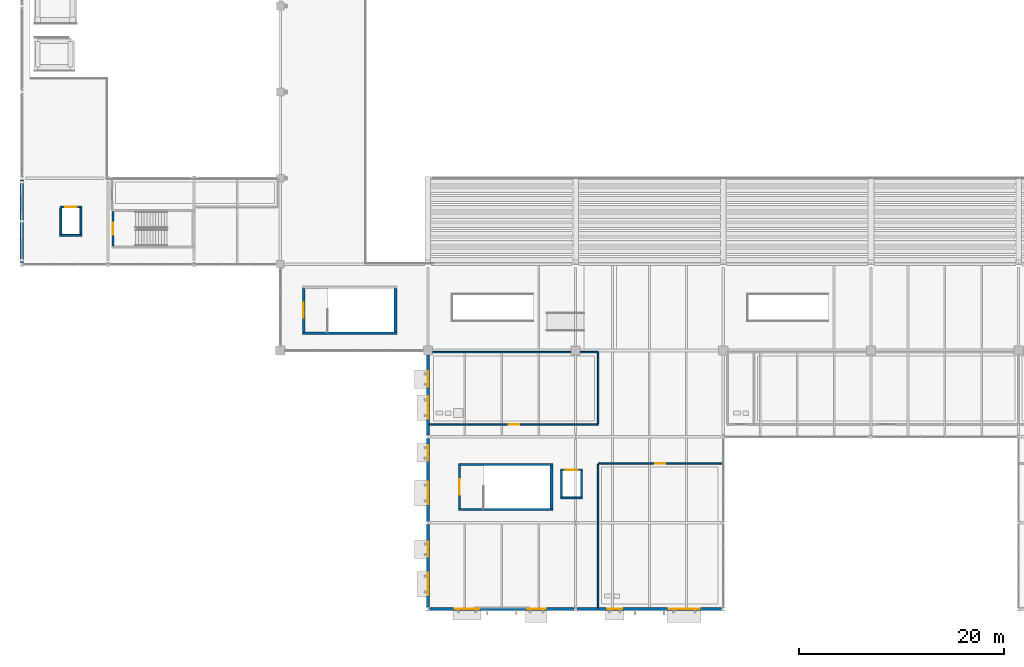
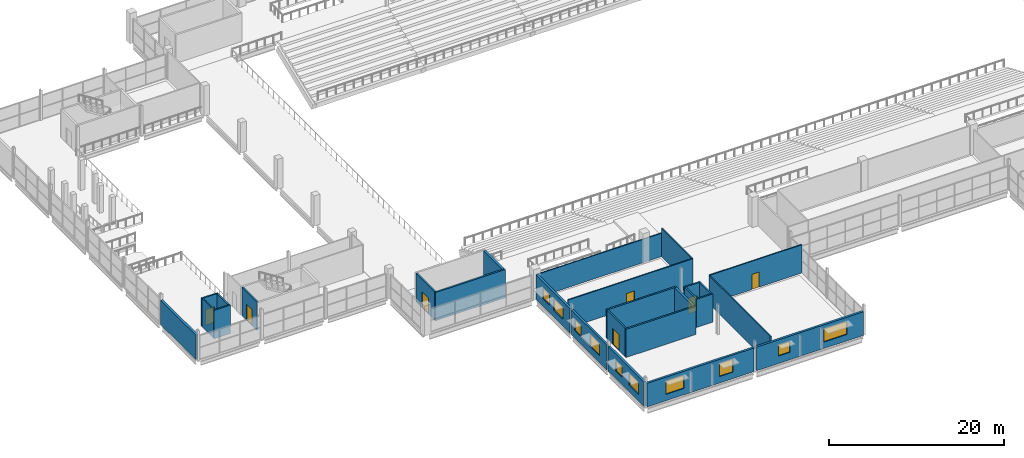
# One storey, part 134 of 161: 27 walls, 10 windows, 7 doors, 17 openings.
"""IFC4 building model written with IfcOpenShell, lengths in metres."""

from ifc_helpers import new_model, si_unit, direction, frame, frame_2d, origin, place, context, subcontext, project, spatial, rectangle, extrude, material, layer, layer_set, type_object, element, fill, save


model = new_model("IFC4")

# Units and contexts
model_context = context("Model", 3, precision=1e-05, world=origin(), true_north=direction((0.0, 1.0)))
body_context = subcontext(model_context, "Body", "Model", "MODEL_VIEW")
ifc_project = project(units=[si_unit("LENGTHUNIT", "METRE"), si_unit("AREAUNIT", "SQUARE_METRE"), si_unit("VOLUMEUNIT", "CUBIC_METRE"), si_unit("PLANEANGLEUNIT", "RADIAN"), si_unit("MASSUNIT", "GRAM", prefix="KILO"), si_unit("THERMODYNAMICTEMPERATUREUNIT", "KELVIN")], contexts=[model_context])

# Site, building, storey
site_placement = place(None, origin())
site = spatial("IfcSite", under=ifc_project, at=site_placement, CompositionType="ELEMENT")
building_placement = place(site_placement, origin())
building = spatial("IfcBuilding", under=site, at=building_placement, Name="Nduvali Passage Aquatics Centre", CompositionType="ELEMENT")
storey_placement = place(building_placement, frame((0.0, 0.0, 4.800048828125)))
storey = spatial("IfcBuildingStorey", under=building, at=storey_placement, Name="L01", CompositionType="ELEMENT", Elevation=4.800048828125)

# Wall, openings, windows
ifc_material_1 = material(Name="Coral-stone masonry blockwork", Category="masonry")
ifc_layer_1 = layer(ifc_material_1, 0.280029296875, Name="Coral-stone masonry blockwork")
ifc_layer_set_1 = layer_set([ifc_layer_1], Name="Coral-stone masonry blockwork")
wall_type_1 = type_object("IfcWallType", Name="ENV-WAL-CORAL280", PredefinedType="STANDARD", material=ifc_layer_set_1)
wall_1_placement = place(storey_placement, frame((39.75, 0.0, 0.0), z_axis=(0.0, 0.0, 1.0), x_axis=(1.0, 0.0, 0.0)))
wall_1 = element("IfcWall", 1, at=wall_1_placement, inside=storey, type_object=wall_type_1, Name="L01 South Coral Facade 0011", PredefinedType="STANDARD", context=body_context, shape_type="SweptSolid", body=[
    extrude(rectangle(XDim=14.10009765625, YDim=0.280029296875, at=frame_2d((7.050048828125, 0.0))), origin(), (0.0, 0.0, 1.0), 3.29248046875),
])
opening_1_placement = place(wall_1_placement, frame((2.466064453125, 0.0, 0.89990234375)))
opening_1 = element("IfcOpeningElement", 2, at=opening_1_placement, cuts=wall_1, Name="Opening W1", PredefinedType="OPENING", context=body_context, shape_type="SweptSolid", body=[
    extrude(rectangle(XDim=2.39990234375, YDim=1.800048828125, at=frame_2d((1.199951171875, 0.89990234375))), frame((0.0, 0.15478515625, 0.0), z_axis=(0.0, -1.0, 0.0), x_axis=(1.0, 0.0, 0.0)), (0.0, 0.0, 1.0), 0.309814453125),
])
opening_2_placement = place(wall_1_placement, frame((9.533935546875, 0.0, 0.89990234375)))
opening_2 = element("IfcOpeningElement", 3, at=opening_2_placement, cuts=wall_1, Name="Opening W2", PredefinedType="OPENING", context=body_context, shape_type="SweptSolid", body=[
    extrude(rectangle(XDim=1.800048828125, YDim=1.800048828125, at=frame_2d((0.89990234375, 0.89990234375))), frame((0.0, 0.15478515625, 0.0), z_axis=(0.0, -1.0, 0.0), x_axis=(1.0, 0.0, 0.0)), (0.0, 0.0, 1.0), 0.309814453125),
])
ifc_material_2 = material(Name="Aluminium-framed solar-control low-E IGU", Category="aluminium")
window_type_1 = type_object("IfcWindowType", Name="ENV-WIN-W1", PartitioningType="SINGLE_PANEL", PredefinedType="WINDOW", material=ifc_material_2)
window_1_placement = place(opening_1_placement, origin())
window_1 = element("IfcWindow", 4, at=window_1_placement, inside=storey, type_object=window_type_1, Name="L01 Exterior Window W1-0016", OverallHeight=1.800048828125, OverallWidth=2.39990234375, PartitioningType="SINGLE_PANEL", PredefinedType="WINDOW", context=body_context, shape_type="SweptSolid", body=[
    extrude(rectangle(XDim=2.39990234375, YDim=1.800048828125, at=frame_2d((1.199951171875, 0.89990234375))), frame((0.0, 0.030029296875, 0.0), z_axis=(0.0, -1.0, 0.0), x_axis=(1.0, 0.0, 0.0)), (0.0, 0.0, 1.0), 0.06005859375),
])
fill(opening_1, window_1)
window_type_2 = type_object("IfcWindowType", Name="ENV-WIN-W2", PartitioningType="SINGLE_PANEL", PredefinedType="WINDOW", material=ifc_material_2)
window_2_placement = place(opening_2_placement, origin())
window_2 = element("IfcWindow", 5, at=window_2_placement, inside=storey, type_object=window_type_2, Name="L01 Exterior Window W2-0017", OverallHeight=1.800048828125, OverallWidth=1.800048828125, PartitioningType="SINGLE_PANEL", PredefinedType="WINDOW", context=body_context, shape_type="SweptSolid", body=[
    extrude(rectangle(XDim=1.800048828125, YDim=1.800048828125, at=frame_2d((0.89990234375, 0.89990234375))), frame((0.0, 0.030029296875, 0.0), z_axis=(0.0, -1.0, 0.0), x_axis=(1.0, 0.0, 0.0)), (0.0, 0.0, 1.0), 0.06005859375),
])
fill(opening_2, window_2)

wall_2_placement = place(storey_placement, frame((54.14990234375, 0.0, 0.0), z_axis=(0.0, 0.0, 1.0), x_axis=(1.0, 0.0, 0.0)))
wall_2 = element("IfcWall", 6, at=wall_2_placement, inside=storey, type_object=wall_type_1, Name="L01 South Coral Facade 0012", PredefinedType="STANDARD", context=body_context, shape_type="SweptSolid", body=[
    extrude(rectangle(XDim=14.10009765625, YDim=0.280029296875, at=frame_2d((7.050048828125, 0.0))), origin(), (0.0, 0.0, 1.0), 3.29248046875),
])
opening_3_placement = place(wall_2_placement, frame((2.916015625, 0.0, 1.050048828125)))
opening_3 = element("IfcOpeningElement", 7, at=opening_3_placement, cuts=wall_2, Name="Opening W3", PredefinedType="OPENING", context=body_context, shape_type="SweptSolid", body=[
    extrude(rectangle(XDim=1.5, YDim=1.5, at=frame_2d((0.75, 0.75))), frame((0.0, 0.15478515625, 0.0), z_axis=(0.0, -1.0, 0.0), x_axis=(1.0, 0.0, 0.0)), (0.0, 0.0, 1.0), 0.309814453125),
])
opening_4_placement = place(wall_2_placement, frame((8.93408203125, 0.0, 0.89990234375)))
opening_4 = element("IfcOpeningElement", 8, at=opening_4_placement, cuts=wall_2, Name="Opening W4", PredefinedType="OPENING", context=body_context, shape_type="SweptSolid", body=[
    extrude(rectangle(XDim=3.0, YDim=1.800048828125, at=frame_2d((1.5, 0.89990234375))), frame((0.0, 0.15478515625, 0.0), z_axis=(0.0, -1.0, 0.0), x_axis=(1.0, 0.0, 0.0)), (0.0, 0.0, 1.0), 0.309814453125),
])
window_type_3 = type_object("IfcWindowType", Name="ENV-WIN-W3", PartitioningType="SINGLE_PANEL", PredefinedType="WINDOW", material=ifc_material_2)
window_3_placement = place(opening_3_placement, origin())
window_3 = element("IfcWindow", 9, at=window_3_placement, inside=storey, type_object=window_type_3, Name="L01 Exterior Window W3-0018", OverallHeight=1.5, OverallWidth=1.5, PartitioningType="SINGLE_PANEL", PredefinedType="WINDOW", context=body_context, shape_type="SweptSolid", body=[
    extrude(rectangle(XDim=1.5, YDim=1.5, at=frame_2d((0.75, 0.75))), frame((0.0, 0.030029296875, 0.0), z_axis=(0.0, -1.0, 0.0), x_axis=(1.0, 0.0, 0.0)), (0.0, 0.0, 1.0), 0.06005859375),
])
fill(opening_3, window_3)
window_type_4 = type_object("IfcWindowType", Name="ENV-WIN-W4", PartitioningType="SINGLE_PANEL", PredefinedType="WINDOW", material=ifc_material_2)
window_4_placement = place(opening_4_placement, origin())
window_4 = element("IfcWindow", 10, at=window_4_placement, inside=storey, type_object=window_type_4, Name="L01 Exterior Window W4-0019", OverallHeight=1.800048828125, OverallWidth=3.0, PartitioningType="SINGLE_PANEL", PredefinedType="WINDOW", context=body_context, shape_type="SweptSolid", body=[
    extrude(rectangle(XDim=3.0, YDim=1.800048828125, at=frame_2d((1.5, 0.89990234375))), frame((0.0, 0.030029296875, 0.0), z_axis=(0.0, -1.0, 0.0), x_axis=(1.0, 0.0, 0.0)), (0.0, 0.0, 1.0), 0.06005859375),
])
fill(opening_4, window_4)

wall_3_placement = place(storey_placement, frame((39.60009765625, 8.260009765625, 0.0), z_axis=(0.0, 0.0, 1.0), x_axis=(0.0, -1.0, 0.0)))
wall_3 = element("IfcWall", 11, at=wall_3_placement, inside=storey, type_object=wall_type_1, Name="L01 External Coral-Stone Wall 0015", PredefinedType="STANDARD", context=body_context, shape_type="SweptSolid", body=[
    extrude(rectangle(XDim=8.110107421875, YDim=0.280029296875, at=frame_2d((4.05517578125, 0.0))), origin(), (0.0, 0.0, 1.0), 3.436279296875),
])
opening_5_placement = place(wall_3_placement, frame((1.68310546875, 0.0, 1.050048828125)))
opening_5 = element("IfcOpeningElement", 12, at=opening_5_placement, cuts=wall_3, Name="Opening W3", PredefinedType="OPENING", context=body_context, shape_type="SweptSolid", body=[
    extrude(rectangle(XDim=1.5, YDim=1.5, at=frame_2d((0.75, 0.75))), frame((0.0, 0.15478515625, 0.0), z_axis=(0.0, -1.0, 0.0), x_axis=(1.0, 0.0, 0.0)), (0.0, 0.0, 1.0), 0.309814453125),
])
opening_6_placement = place(wall_3_placement, frame((4.739013671875, 0.0, 0.949951171875)))
opening_6 = element("IfcOpeningElement", 13, at=opening_6_placement, cuts=wall_3, Name="Opening W15", PredefinedType="OPENING", context=body_context, shape_type="SweptSolid", body=[
    extrude(rectangle(XDim=2.199951171875, YDim=1.64990234375, at=frame_2d((1.10009765625, 0.824951171875))), frame((0.0, 0.15478515625, 0.0), z_axis=(0.0, -1.0, 0.0), x_axis=(1.0, 0.0, 0.0)), (0.0, 0.0, 1.0), 0.309814453125),
])
window_type_5 = type_object("IfcWindowType", Name="ENV-WIN-W15", PartitioningType="SINGLE_PANEL", PredefinedType="WINDOW", material=ifc_material_2)
window_5_placement = place(opening_6_placement, origin())
window_5 = element("IfcWindow", 14, at=window_5_placement, inside=storey, type_object=window_type_5, Name="L01 Exterior Window W15-0025", OverallHeight=1.64990234375, OverallWidth=2.199951171875, PartitioningType="SINGLE_PANEL", PredefinedType="WINDOW", context=body_context, shape_type="SweptSolid", body=[
    extrude(rectangle(XDim=2.199951171875, YDim=1.64990234375, at=frame_2d((1.10009765625, 0.824951171875))), frame((0.0, 0.030029296875, 0.0), z_axis=(0.0, -1.0, 0.0), x_axis=(1.0, 0.0, 0.0)), (0.0, 0.0, 1.0), 0.06005859375),
])
fill(opening_6, window_5)
window_6_placement = place(opening_5_placement, origin())
window_6 = element("IfcWindow", 15, at=window_6_placement, inside=storey, type_object=window_type_3, Name="L01 Exterior Window W3-0024", OverallHeight=1.5, OverallWidth=1.5, PartitioningType="SINGLE_PANEL", PredefinedType="WINDOW", context=body_context, shape_type="SweptSolid", body=[
    extrude(rectangle(XDim=1.5, YDim=1.5, at=frame_2d((0.75, 0.75))), frame((0.0, 0.030029296875, 0.0), z_axis=(0.0, -1.0, 0.0), x_axis=(1.0, 0.0, 0.0)), (0.0, 0.0, 1.0), 0.06005859375),
])
fill(opening_5, window_6)

wall_4_placement = place(storey_placement, frame((39.60009765625, 16.64990234375, 0.0), z_axis=(0.0, 0.0, 1.0), x_axis=(0.0, -1.0, 0.0)))
wall_4 = element("IfcWall", 16, at=wall_4_placement, inside=storey, type_object=wall_type_1, Name="L01 External Coral-Stone Wall 0017", PredefinedType="STANDARD", context=body_context, shape_type="SweptSolid", body=[
    extrude(rectangle(XDim=8.10986328125, YDim=0.280029296875, at=frame_2d((4.054931640625, 0.0))), origin(), (0.0, 0.0, 1.0), 3.436279296875),
])
opening_7_placement = place(wall_4_placement, frame((0.68310546875, 0.0, 1.050048828125)))
opening_7 = element("IfcOpeningElement", 17, at=opening_7_placement, cuts=wall_4, Name="Opening W3", PredefinedType="OPENING", context=body_context, shape_type="SweptSolid", body=[
    extrude(rectangle(XDim=1.5, YDim=1.5, at=frame_2d((0.75, 0.75))), frame((0.0, 0.15478515625, 0.0), z_axis=(0.0, -1.0, 0.0), x_axis=(1.0, 0.0, 0.0)), (0.0, 0.0, 1.0), 0.309814453125),
])
opening_8_placement = place(wall_4_placement, frame((4.239013671875, 0.0, 0.949951171875)))
opening_8 = element("IfcOpeningElement", 18, at=opening_8_placement, cuts=wall_4, Name="Opening W15", PredefinedType="OPENING", context=body_context, shape_type="SweptSolid", body=[
    extrude(rectangle(XDim=2.199951171875, YDim=1.64990234375, at=frame_2d((1.10009765625, 0.824951171875))), frame((0.0, 0.15478515625, 0.0), z_axis=(0.0, -1.0, 0.0), x_axis=(1.0, 0.0, 0.0)), (0.0, 0.0, 1.0), 0.309814453125),
])
window_7_placement = place(opening_8_placement, origin())
window_7 = element("IfcWindow", 19, at=window_7_placement, inside=storey, type_object=window_type_5, Name="L01 Exterior Window W15-0029", OverallHeight=1.64990234375, OverallWidth=2.199951171875, PartitioningType="SINGLE_PANEL", PredefinedType="WINDOW", context=body_context, shape_type="SweptSolid", body=[
    extrude(rectangle(XDim=2.199951171875, YDim=1.64990234375, at=frame_2d((1.10009765625, 0.824951171875))), frame((0.0, 0.030029296875, 0.0), z_axis=(0.0, -1.0, 0.0), x_axis=(1.0, 0.0, 0.0)), (0.0, 0.0, 1.0), 0.06005859375),
])
fill(opening_8, window_7)
window_8_placement = place(opening_7_placement, origin())
window_8 = element("IfcWindow", 20, at=window_8_placement, inside=storey, type_object=window_type_3, Name="L01 Exterior Window W3-0028", OverallHeight=1.5, OverallWidth=1.5, PartitioningType="SINGLE_PANEL", PredefinedType="WINDOW", context=body_context, shape_type="SweptSolid", body=[
    extrude(rectangle(XDim=1.5, YDim=1.5, at=frame_2d((0.75, 0.75))), frame((0.0, 0.030029296875, 0.0), z_axis=(0.0, -1.0, 0.0), x_axis=(1.0, 0.0, 0.0)), (0.0, 0.0, 1.0), 0.06005859375),
])
fill(opening_7, window_8)

wall_5_placement = place(storey_placement, frame((39.60009765625, 24.75, 0.0), z_axis=(0.0, 0.0, 1.0), x_axis=(0.0, -1.0, 0.0)))
wall_5 = element("IfcWall", 21, at=wall_5_placement, inside=storey, type_object=wall_type_1, Name="L01 External Coral-Stone Wall 0019", PredefinedType="STANDARD", context=body_context, shape_type="SweptSolid", body=[
    extrude(rectangle(XDim=7.800048828125, YDim=0.280029296875, at=frame_2d((3.89990234375, 0.0))), origin(), (0.0, 0.0, 1.0), 3.436279296875),
])
opening_9_placement = place(wall_5_placement, frame((1.590087890625, 0.0, 1.050048828125)))
opening_9 = element("IfcOpeningElement", 22, at=opening_9_placement, cuts=wall_5, Name="Opening W3", PredefinedType="OPENING", context=body_context, shape_type="SweptSolid", body=[
    extrude(rectangle(XDim=1.5, YDim=1.5, at=frame_2d((0.75, 0.75))), frame((0.0, 0.15478515625, 0.0), z_axis=(0.0, -1.0, 0.0), x_axis=(1.0, 0.0, 0.0)), (0.0, 0.0, 1.0), 0.309814453125),
])
opening_10_placement = place(wall_5_placement, frame((4.01611328125, 0.0, 0.949951171875)))
opening_10 = element("IfcOpeningElement", 23, at=opening_10_placement, cuts=wall_5, Name="Opening W15", PredefinedType="OPENING", context=body_context, shape_type="SweptSolid", body=[
    extrude(rectangle(XDim=2.199951171875, YDim=1.64990234375, at=frame_2d((1.10009765625, 0.824951171875))), frame((0.0, 0.15478515625, 0.0), z_axis=(0.0, -1.0, 0.0), x_axis=(1.0, 0.0, 0.0)), (0.0, 0.0, 1.0), 0.309814453125),
])
window_9_placement = place(opening_10_placement, origin())
window_9 = element("IfcWindow", 24, at=window_9_placement, inside=storey, type_object=window_type_5, Name="L01 Exterior Window W15-0032", OverallHeight=1.64990234375, OverallWidth=2.199951171875, PartitioningType="SINGLE_PANEL", PredefinedType="WINDOW", context=body_context, shape_type="SweptSolid", body=[
    extrude(rectangle(XDim=2.199951171875, YDim=1.64990234375, at=frame_2d((1.10009765625, 0.824951171875))), frame((0.0, 0.030029296875, 0.0), z_axis=(0.0, -1.0, 0.0), x_axis=(1.0, 0.0, 0.0)), (0.0, 0.0, 1.0), 0.06005859375),
])
fill(opening_10, window_9)
window_10_placement = place(opening_9_placement, origin())
window_10 = element("IfcWindow", 25, at=window_10_placement, inside=storey, type_object=window_type_3, Name="L01 Exterior Window W3-0031", OverallHeight=1.5, OverallWidth=1.5, PartitioningType="SINGLE_PANEL", PredefinedType="WINDOW", context=body_context, shape_type="SweptSolid", body=[
    extrude(rectangle(XDim=1.5, YDim=1.5, at=frame_2d((0.75, 0.75))), frame((0.0, 0.030029296875, 0.0), z_axis=(0.0, -1.0, 0.0), x_axis=(1.0, 0.0, 0.0)), (0.0, 0.0, 1.0), 0.06005859375),
])
fill(opening_9, window_10)

# Walls
ifc_layer_2 = layer(ifc_material_1, 0.300048828125, Name="Coral-stone masonry blockwork")
ifc_layer_set_2 = layer_set([ifc_layer_2], Name="Coral-stone masonry blockwork")
wall_type_2 = type_object("IfcWallType", Name="ENV-WAL-CORAL300", PredefinedType="STANDARD", material=ifc_layer_set_2)
wall_6_placement = place(storey_placement, frame((0.0, 41.830078125, 0.0), z_axis=(0.0, 0.0, 1.0), x_axis=(0.0, -1.0, 0.0)))
element("IfcWall", 26, at=wall_6_placement, inside=storey, type_object=wall_type_2, Name="L01 Diving West Facade 0029", PredefinedType="STANDARD", context=body_context, shape_type="SweptSolid", body=[
    extrude(rectangle(XDim=8.06005859375, YDim=0.300048828125, at=frame_2d((4.030029296875, 0.0))), origin(), (0.0, 0.0, 1.0), 3.396484375),
])
ifc_material_3 = material(Name="Concrete C40/50", Category="concrete")
ifc_layer_3 = layer(ifc_material_3, 0.219970703125, Name="Concrete C40/50")
ifc_layer_set_3 = layer_set([ifc_layer_3], Name="Concrete C40/50")
wall_type_3 = type_object("IfcWallType", Name="INT-WAL-CORE220", PredefinedType="SOLIDWALL", material=ifc_layer_set_3)
for number, where, z_axis, x_axis, name in (
    (27, (42.580078125, 9.68994140625, 0.0), (0.0, 0.0, 1.0), (1.0, 0.0, 0.0), "L01 Stair ST5 Core Wall S"),
    (28, (51.800048828125, 14.10009765625, 0.0), (0.0, 0.0, 1.0), (-1.0, 0.0, 0.0), "L01 Stair ST5 Core Wall N"),
):
    element("IfcWall", number, at=place(storey_placement, frame(where, z_axis=z_axis, x_axis=x_axis)), inside=storey, type_object=wall_type_3, Name=name, PredefinedType="SOLIDWALL", context=body_context, shape_type="SweptSolid", body=[
        extrude(rectangle(XDim=9.219970703125, YDim=0.219970703125, at=frame_2d((4.60986328125, 0.0))), origin(), (0.0, 0.0, 1.0), 3.93994140625),
    ])

# Wall, opening, door
wall_7_placement = place(storey_placement, frame((42.68994140625, 13.989990234375, 0.0), z_axis=(0.0, 0.0, 1.0), x_axis=(0.0, -1.0, 0.0)))
wall_7 = element("IfcWall", 29, at=wall_7_placement, inside=storey, type_object=wall_type_3, Name="L01 Stair ST5 Core Wall W", PredefinedType="SOLIDWALL", context=body_context, shape_type="SweptSolid", body=[
    extrude(rectangle(XDim=4.18994140625, YDim=0.219970703125, at=frame_2d((2.094970703125, 0.0))), origin(), (0.0, 0.0, 1.0), 3.93994140625),
])
opening_11_placement = place(wall_7_placement, frame((1.344970703125, 0.0, 0.0)))
opening_11 = element("IfcOpeningElement", 30, at=opening_11_placement, cuts=wall_7, Name="Opening FD-ST1", PredefinedType="OPENING", context=body_context, shape_type="SweptSolid", body=[
    extrude(rectangle(XDim=1.5, YDim=2.199951171875, at=frame_2d((0.75, 1.10009765625))), frame((0.0, 0.125, 0.0), z_axis=(0.0, -1.0, 0.0), x_axis=(1.0, 0.0, 0.0)), (0.0, 0.0, 1.0), 0.249755859375),
])
ifc_material_4 = material(Name="Galvanised steel door", Category="steel")
door_type_1 = type_object("IfcDoorType", Name="INT-DR-ST150", OperationType="DOUBLE_DOOR_SINGLE_SWING", PredefinedType="DOOR", material=ifc_material_4)
door_1_placement = place(opening_11_placement, frame((1.5, 0.0, 0.0), z_axis=(0.0, 0.0, 1.0), x_axis=(-1.0, 0.0, 0.0)))
door_1 = element("IfcDoor", 31, at=door_1_placement, inside=storey, type_object=door_type_1, Name="L01 Stair ST5 Fire Lobby Door", OperationType="DOUBLE_DOOR_SINGLE_SWING", OverallHeight=2.199951171875, OverallWidth=1.5, PredefinedType="DOOR", context=body_context, shape_type="SweptSolid", body=[
    extrude(rectangle(XDim=1.5, YDim=2.199951171875, at=frame_2d((0.75, 1.10009765625))), frame((0.0, 0.02490234375, 0.0), z_axis=(0.0, -1.0, 0.0), x_axis=(1.0, 0.0, 0.0)), (0.0, 0.0, 1.0), 0.050048828125),
])
fill(opening_11, door_1)

wall_8_placement = place(storey_placement, frame((8.889892578125, 38.75, 0.0), z_axis=(0.0, 0.0, 1.0), x_axis=(0.0, -1.0, 0.0)))
wall_8 = element("IfcWall", 32, at=wall_8_placement, inside=storey, type_object=wall_type_3, Name="L01 Stair ST9 Core Wall W", PredefinedType="SOLIDWALL", context=body_context, shape_type="SweptSolid", body=[
    extrude(rectangle(XDim=3.35009765625, YDim=0.219970703125, at=frame_2d((1.675048828125, 0.0))), origin(), (0.0, 0.0, 1.0), 3.93994140625),
])
opening_12_placement = place(wall_8_placement, frame((1.074951171875, 0.0, 0.0)))
opening_12 = element("IfcOpeningElement", 33, at=opening_12_placement, cuts=wall_8, Name="Opening FD-ST2", PredefinedType="OPENING", context=body_context, shape_type="SweptSolid", body=[
    extrude(rectangle(XDim=1.199951171875, YDim=2.199951171875, at=frame_2d((0.60009765625, 1.10009765625))), frame((0.0, 0.125, 0.0), z_axis=(0.0, -1.0, 0.0), x_axis=(1.0, 0.0, 0.0)), (0.0, 0.0, 1.0), 0.249755859375),
])
door_type_2 = type_object("IfcDoorType", Name="INT-DR-ST120", OperationType="NOTDEFINED", PredefinedType="DOOR", material=ifc_material_4)
door_2_placement = place(opening_12_placement, frame((1.199951171875, 0.0, 0.0), z_axis=(0.0, 0.0, 1.0), x_axis=(-1.0, 0.0, 0.0)))
door_2 = element("IfcDoor", 34, at=door_2_placement, inside=storey, type_object=door_type_2, Name="L01 Stair ST9 Fire Lobby Door", OperationType="SINGLE_SWING_LEFT", OverallHeight=2.199951171875, OverallWidth=1.199951171875, PredefinedType="DOOR", context=body_context, shape_type="SweptSolid", body=[
    extrude(rectangle(XDim=1.199951171875, YDim=2.199951171875, at=frame_2d((0.60009765625, 1.10009765625))), frame((0.0, 0.02490234375, 0.0), z_axis=(0.0, -1.0, 0.0), x_axis=(1.0, 0.0, 0.0)), (0.0, 0.0, 1.0), 0.050048828125),
])
fill(opening_12, door_2)

# Wall
wall_9_placement = place(storey_placement, frame((27.3798828125, 26.889892578125, 0.0), z_axis=(0.0, 0.0, 1.0), x_axis=(1.0, 0.0, 0.0)))
element("IfcWall", 35, at=wall_9_placement, inside=storey, type_object=wall_type_3, Name="L01 Stair ST13 Core Wall S", PredefinedType="SOLIDWALL", context=body_context, shape_type="SweptSolid", body=[
    extrude(rectangle(XDim=9.22021484375, YDim=0.219970703125, at=frame_2d((4.610107421875, 0.0))), origin(), (0.0, 0.0, 1.0), 3.93994140625),
])

# Wall, opening, door
wall_10_placement = place(storey_placement, frame((27.489990234375, 31.25, 0.0), z_axis=(0.0, 0.0, 1.0), x_axis=(0.0, -1.0, 0.0)))
wall_10 = element("IfcWall", 36, at=wall_10_placement, inside=storey, type_object=wall_type_3, Name="L01 Stair ST13 Core Wall W", PredefinedType="SOLIDWALL", context=body_context, shape_type="SweptSolid", body=[
    extrude(rectangle(XDim=4.25, YDim=0.219970703125, at=frame_2d((2.125, 0.0))), origin(), (0.0, 0.0, 1.0), 3.93994140625),
])
opening_13_placement = place(wall_10_placement, frame((1.375, 0.0, 0.0)))
opening_13 = element("IfcOpeningElement", 37, at=opening_13_placement, cuts=wall_10, Name="Opening FD-ST1", PredefinedType="OPENING", context=body_context, shape_type="SweptSolid", body=[
    extrude(rectangle(XDim=1.5, YDim=2.199951171875, at=frame_2d((0.75, 1.10009765625))), frame((0.0, 0.125, 0.0), z_axis=(0.0, -1.0, 0.0), x_axis=(1.0, 0.0, 0.0)), (0.0, 0.0, 1.0), 0.249755859375),
])
door_3_placement = place(opening_13_placement, frame((1.5, 0.0, 0.0), z_axis=(0.0, 0.0, 1.0), x_axis=(-1.0, 0.0, 0.0)))
door_3 = element("IfcDoor", 38, at=door_3_placement, inside=storey, type_object=door_type_1, Name="L01 Stair ST13 Fire Lobby Door", OperationType="DOUBLE_DOOR_SINGLE_SWING", OverallHeight=2.199951171875, OverallWidth=1.5, PredefinedType="DOOR", context=body_context, shape_type="SweptSolid", body=[
    extrude(rectangle(XDim=1.5, YDim=2.199951171875, at=frame_2d((0.75, 1.10009765625))), frame((0.0, 0.02490234375, 0.0), z_axis=(0.0, -1.0, 0.0), x_axis=(1.0, 0.0, 0.0)), (0.0, 0.0, 1.0), 0.050048828125),
])
fill(opening_13, door_3)

# Walls
ifc_layer_4 = layer(ifc_material_3, 0.18994140625, Name="Concrete C40/50")
ifc_layer_set_4 = layer_set([ifc_layer_4], Name="Concrete C40/50")
wall_type_4 = type_object("IfcWallType", Name="INT-WAL-SHAFT200", PredefinedType="SOLIDWALL", material=ifc_layer_set_4)
wall_11_placement = place(storey_placement, frame((52.530029296875, 10.824951171875, 0.0), z_axis=(0.0, 0.0, 1.0), x_axis=(1.0, 0.0, 0.0)))
element("IfcWall", 39, at=wall_11_placement, inside=storey, type_object=wall_type_4, Name="L01 Lift L4 Shaft Wall S", PredefinedType="SOLIDWALL", context=body_context, shape_type="SweptSolid", body=[
    extrude(rectangle(XDim=2.139892578125, YDim=0.18994140625, at=frame_2d((1.06982421875, 0.0))), origin(), (0.0, 0.0, 1.0), 3.93994140625),
])
wall_12_placement = place(storey_placement, frame((54.574951171875, 10.919921875, 0.0), z_axis=(0.0, 0.0, 1.0), x_axis=(0.0, 1.0, 0.0)))
element("IfcWall", 40, at=wall_12_placement, inside=storey, type_object=wall_type_4, Name="L01 Lift L4 Shaft Wall E", PredefinedType="SOLIDWALL", context=body_context, shape_type="SweptSolid", body=[
    extrude(rectangle(XDim=2.56005859375, YDim=0.18994140625, at=frame_2d((1.280029296875, 0.0))), origin(), (0.0, 0.0, 1.0), 3.93994140625),
])

# Wall, opening, door
wall_13_placement = place(storey_placement, frame((54.669921875, 13.574951171875, 0.0), z_axis=(0.0, 0.0, 1.0), x_axis=(-1.0, 0.0, 0.0)))
wall_13 = element("IfcWall", 41, at=wall_13_placement, inside=storey, type_object=wall_type_4, Name="L01 Lift L4 Shaft Wall N", PredefinedType="SOLIDWALL", context=body_context, shape_type="SweptSolid", body=[
    extrude(rectangle(XDim=2.139892578125, YDim=0.18994140625, at=frame_2d((1.06982421875, 0.0))), origin(), (0.0, 0.0, 1.0), 3.93994140625),
])
opening_14_placement = place(wall_13_placement, frame((0.52001953125, 0.0, 0.0)))
opening_14 = element("IfcOpeningElement", 42, at=opening_14_placement, cuts=wall_13, Name="Opening LD4", PredefinedType="OPENING", context=body_context, shape_type="SweptSolid", body=[
    extrude(rectangle(XDim=1.10009765625, YDim=2.199951171875, at=frame_2d((0.550048828125, 1.10009765625))), frame((0.0, 0.10986328125, 0.0), z_axis=(0.0, -1.0, 0.0), x_axis=(1.0, 0.0, 0.0)), (0.0, 0.0, 1.0), 0.2197265625),
])
ifc_material_5 = material(Name="Stainless steel landing door", Category="steel")
door_type_3 = type_object("IfcDoorType", Name="INT-DR-LD4", OperationType="DOUBLE_DOOR_SLIDING", PredefinedType="DOOR", material=ifc_material_5)
door_4_placement = place(opening_14_placement, origin())
door_4 = element("IfcDoor", 43, at=door_4_placement, inside=storey, type_object=door_type_3, Name="L01 Lift L4 Sliding Landing Door LD4", OperationType="DOUBLE_DOOR_SLIDING", OverallHeight=2.199951171875, OverallWidth=1.10009765625, PredefinedType="DOOR", context=body_context, shape_type="SweptSolid", body=[
    extrude(rectangle(XDim=1.10009765625, YDim=2.199951171875, at=frame_2d((0.550048828125, 1.10009765625))), frame((0.0, 0.02490234375, 0.0), z_axis=(0.0, -1.0, 0.0), x_axis=(1.0, 0.0, 0.0)), (0.0, 0.0, 1.0), 0.050048828125),
])
fill(opening_14, door_4)

# Walls
wall_14_placement = place(storey_placement, frame((52.625, 13.47998046875, 0.0), z_axis=(0.0, 0.0, 1.0), x_axis=(0.0, -1.0, 0.0)))
element("IfcWall", 44, at=wall_14_placement, inside=storey, type_object=wall_type_4, Name="L01 Lift L4 Shaft Wall W", PredefinedType="SOLIDWALL", context=body_context, shape_type="SweptSolid", body=[
    extrude(rectangle(XDim=2.56005859375, YDim=0.18994140625, at=frame_2d((1.280029296875, 0.0))), origin(), (0.0, 0.0, 1.0), 3.93994140625),
])
wall_15_placement = place(storey_placement, frame((3.72998046875, 36.425048828125, 0.0), z_axis=(0.0, 0.0, 1.0), x_axis=(1.0, 0.0, 0.0)))
element("IfcWall", 45, at=wall_15_placement, inside=storey, type_object=wall_type_4, Name="L01 Lift L5 Shaft Wall S", PredefinedType="SOLIDWALL", context=body_context, shape_type="SweptSolid", body=[
    extrude(rectangle(XDim=2.14013671875, YDim=0.18994140625, at=frame_2d((1.070068359375, 0.0))), origin(), (0.0, 0.0, 1.0), 3.93994140625),
])
wall_16_placement = place(storey_placement, frame((5.77490234375, 36.52001953125, 0.0), z_axis=(0.0, 0.0, 1.0), x_axis=(0.0, 1.0, 0.0)))
element("IfcWall", 46, at=wall_16_placement, inside=storey, type_object=wall_type_4, Name="L01 Lift L5 Shaft Wall E", PredefinedType="SOLIDWALL", context=body_context, shape_type="SweptSolid", body=[
    extrude(rectangle(XDim=2.56005859375, YDim=0.18994140625, at=frame_2d((1.280029296875, 0.0))), origin(), (0.0, 0.0, 1.0), 3.93994140625),
])

# Wall, opening, door
wall_17_placement = place(storey_placement, frame((5.8701171875, 39.175048828125, 0.0), z_axis=(0.0, 0.0, 1.0), x_axis=(-1.0, 0.0, 0.0)))
wall_17 = element("IfcWall", 47, at=wall_17_placement, inside=storey, type_object=wall_type_4, Name="L01 Lift L5 Shaft Wall N", PredefinedType="SOLIDWALL", context=body_context, shape_type="SweptSolid", body=[
    extrude(rectangle(XDim=2.14013671875, YDim=0.18994140625, at=frame_2d((1.070068359375, 0.0))), origin(), (0.0, 0.0, 1.0), 3.93994140625),
])
opening_15_placement = place(wall_17_placement, frame((0.52001953125, 0.0, 0.0)))
opening_15 = element("IfcOpeningElement", 48, at=opening_15_placement, cuts=wall_17, Name="Opening LD5", PredefinedType="OPENING", context=body_context, shape_type="SweptSolid", body=[
    extrude(rectangle(XDim=1.10009765625, YDim=2.199951171875, at=frame_2d((0.550048828125, 1.10009765625))), frame((0.0, 0.10986328125, 0.0), z_axis=(0.0, -1.0, 0.0), x_axis=(1.0, 0.0, 0.0)), (0.0, 0.0, 1.0), 0.2197265625),
])
door_type_4 = type_object("IfcDoorType", Name="INT-DR-LD5", OperationType="DOUBLE_DOOR_SLIDING", PredefinedType="DOOR", material=ifc_material_5)
door_5_placement = place(opening_15_placement, origin())
door_5 = element("IfcDoor", 49, at=door_5_placement, inside=storey, type_object=door_type_4, Name="L01 Lift L5 Sliding Landing Door LD5", OperationType="DOUBLE_DOOR_SLIDING", OverallHeight=2.199951171875, OverallWidth=1.10009765625, PredefinedType="DOOR", context=body_context, shape_type="SweptSolid", body=[
    extrude(rectangle(XDim=1.10009765625, YDim=2.199951171875, at=frame_2d((0.550048828125, 1.10009765625))), frame((0.0, 0.02490234375, 0.0), z_axis=(0.0, -1.0, 0.0), x_axis=(1.0, 0.0, 0.0)), (0.0, 0.0, 1.0), 0.050048828125),
])
fill(opening_15, door_5)

# Wall
wall_18_placement = place(storey_placement, frame((3.824951171875, 39.080078125, 0.0), z_axis=(0.0, 0.0, 1.0), x_axis=(0.0, -1.0, 0.0)))
element("IfcWall", 50, at=wall_18_placement, inside=storey, type_object=wall_type_4, Name="L01 Lift L5 Shaft Wall W", PredefinedType="SOLIDWALL", context=body_context, shape_type="SweptSolid", body=[
    extrude(rectangle(XDim=2.56005859375, YDim=0.18994140625, at=frame_2d((1.280029296875, 0.0))), origin(), (0.0, 0.0, 1.0), 3.93994140625),
])

# Wall, opening, door
ifc_layer_5 = layer(ifc_material_1, 0.14990234375, Name="Coral-stone masonry blockwork")
ifc_layer_set_5 = layer_set([ifc_layer_5], Name="Coral-stone masonry blockwork")
wall_type_5 = type_object("IfcWallType", Name="INT-WAL-WET150", PredefinedType="PLUMBINGWALL", material=ifc_layer_set_5)
wall_19_placement = place(storey_placement, frame((39.739990234375, 18.0, 0.0), z_axis=(0.0, 0.0, 1.0), x_axis=(1.0, 0.0, 0.0)))
wall_19 = element("IfcWall", 51, at=wall_19_placement, inside=storey, type_object=wall_type_5, Name="L01 Fitness Dry Changing Village West Partition 0120", PredefinedType="PLUMBINGWALL", context=body_context, shape_type="SweptSolid", body=[
    extrude(rectangle(XDim=16.4599609375, YDim=0.14990234375, at=frame_2d((8.22998046875, 0.0))), origin(), (0.0, 0.0, 1.0), 3.93994140625),
])
opening_16_placement = place(wall_19_placement, frame((7.72998046875, 0.0, 0.0)))
opening_16 = element("IfcOpeningElement", 52, at=opening_16_placement, cuts=wall_19, Name="Opening ID1", PredefinedType="OPENING", context=body_context, shape_type="SweptSolid", body=[
    extrude(rectangle(XDim=1.02001953125, YDim=2.14990234375, at=frame_2d((0.510009765625, 1.074951171875))), frame((0.0, 0.08984375, 0.0), z_axis=(0.0, -1.0, 0.0), x_axis=(1.0, 0.0, 0.0)), (0.0, 0.0, 1.0), 0.1796875),
])
ifc_material_6 = material(Name="Timber solid-core door", Category="wood")
door_type_5 = type_object("IfcDoorType", Name="INT-DR-STD100", OperationType="NOTDEFINED", PredefinedType="DOOR", material=ifc_material_6)
door_6_placement = place(opening_16_placement, frame((1.02001953125, 0.0, 0.0), z_axis=(0.0, 0.0, 1.0), x_axis=(-1.0, 0.0, 0.0)))
door_6 = element("IfcDoor", 53, at=door_6_placement, inside=storey, type_object=door_type_5, Name="L01 Fitness Dry Changing Village West Door 0039", OperationType="SINGLE_SWING_RIGHT", OverallHeight=2.14990234375, OverallWidth=1.02001953125, PredefinedType="DOOR", context=body_context, shape_type="SweptSolid", body=[
    extrude(rectangle(XDim=1.02001953125, YDim=2.14990234375, at=frame_2d((0.510009765625, 1.074951171875))), frame((0.0, 0.02490234375, 0.0), z_axis=(0.0, -1.0, 0.0), x_axis=(1.0, 0.0, 0.0)), (0.0, 0.0, 1.0), 0.050048828125),
])
fill(opening_16, door_6)

# Walls
wall_20_placement = place(storey_placement, frame((39.739990234375, 25.0400390625, 0.0), z_axis=(0.0, 0.0, 1.0), x_axis=(1.0, 0.0, 0.0)))
element("IfcWall", 54, at=wall_20_placement, inside=storey, type_object=wall_type_5, Name="L01 Fitness Dry Changing Village West Partition 0121", PredefinedType="PLUMBINGWALL", context=body_context, shape_type="SweptSolid", body=[
    extrude(rectangle(XDim=16.4599609375, YDim=0.14990234375, at=frame_2d((8.22998046875, 0.0))), origin(), (0.0, 0.0, 1.0), 3.25244140625),
])
wall_21_placement = place(storey_placement, frame((56.199951171875, 18.074951171875, 0.0), z_axis=(0.0, 0.0, 1.0), x_axis=(0.0, 1.0, 0.0)))
element("IfcWall", 55, at=wall_21_placement, inside=storey, type_object=wall_type_5, Name="L01 Fitness Dry Changing Village West Partition 0122", PredefinedType="PLUMBINGWALL", context=body_context, shape_type="SweptSolid", body=[
    extrude(rectangle(XDim=6.89013671875, YDim=0.14990234375, at=frame_2d((3.445068359375, 0.0))), origin(), (0.0, 0.0, 1.0), 3.93994140625),
])

# Wall, opening, door
wall_22_placement = place(storey_placement, frame((56.199951171875, 14.199951171875, 0.0), z_axis=(0.0, 0.0, 1.0), x_axis=(1.0, 0.0, 0.0)))
wall_22 = element("IfcWall", 56, at=wall_22_placement, inside=storey, type_object=wall_type_5, Name="L01 South Spectator Public Toilets West Partition 0123", PredefinedType="PLUMBINGWALL", context=body_context, shape_type="SweptSolid", body=[
    extrude(rectangle(XDim=12.179931640625, YDim=0.14990234375, at=frame_2d((6.08984375, 0.0))), origin(), (0.0, 0.0, 1.0), 3.93994140625),
])
opening_17_placement = place(wall_22_placement, frame((5.570068359375, 0.0, 0.0)))
opening_17 = element("IfcOpeningElement", 57, at=opening_17_placement, cuts=wall_22, Name="Opening ID3", PredefinedType="OPENING", context=body_context, shape_type="SweptSolid", body=[
    extrude(rectangle(XDim=0.949951171875, YDim=2.10009765625, at=frame_2d((0.47509765625, 1.050048828125))), frame((0.0, 0.08984375, 0.0), z_axis=(0.0, -1.0, 0.0), x_axis=(1.0, 0.0, 0.0)), (0.0, 0.0, 1.0), 0.1796875),
])
door_type_6 = type_object("IfcDoorType", Name="INT-DR-WC95", OperationType="NOTDEFINED", PredefinedType="DOOR", material=ifc_material_6)
door_7_placement = place(opening_17_placement, origin())
door_7 = element("IfcDoor", 58, at=door_7_placement, inside=storey, type_object=door_type_6, Name="L01 South Spectator Public Toilets West Door 0040", OperationType="SINGLE_SWING_LEFT", OverallHeight=2.10009765625, OverallWidth=0.949951171875, PredefinedType="DOOR", context=body_context, shape_type="SweptSolid", body=[
    extrude(rectangle(XDim=0.949951171875, YDim=2.10009765625, at=frame_2d((0.47509765625, 1.050048828125))), frame((0.0, 0.02490234375, 0.0), z_axis=(0.0, -1.0, 0.0), x_axis=(1.0, 0.0, 0.0)), (0.0, 0.0, 1.0), 0.050048828125),
])
fill(opening_17, door_7)

# Walls
wall_23_placement = place(storey_placement, frame((56.199951171875, 0.139892578125, 0.0), z_axis=(0.0, 0.0, 1.0), x_axis=(0.0, 1.0, 0.0)))
element("IfcWall", 59, at=wall_23_placement, inside=storey, type_object=wall_type_5, Name="L01 South Spectator Public Toilets West Partition 0124", PredefinedType="PLUMBINGWALL", context=body_context, shape_type="SweptSolid", body=[
    extrude(rectangle(XDim=13.985107421875, YDim=0.14990234375, at=frame_2d((6.99267578125, 0.0))), origin(), (0.0, 0.0, 1.0), 3.93994140625),
])
ifc_layer_6 = layer(ifc_material_3, 0.300048828125, Name="Concrete C40/50")
ifc_layer_set_6 = layer_set([ifc_layer_6], Name="Concrete C40/50")
wall_type_6 = type_object("IfcWallType", Name="STR-WAL-SHR300", PredefinedType="SHEAR", material=ifc_layer_set_6)
wall_24_placement = place(storey_placement, frame((51.64990234375, 9.800048828125, 0.0), z_axis=(0.0, 0.0, 1.0), x_axis=(0.0, 1.0, 0.0)))
element("IfcWall", 60, at=wall_24_placement, inside=storey, type_object=wall_type_6, Name="L01 Stair ST5 Core Shear Wall E", PredefinedType="SHEAR", context=body_context, shape_type="SweptSolid", body=[
    extrude(rectangle(XDim=4.18994140625, YDim=0.300048828125, at=frame_2d((2.094970703125, 0.0))), origin(), (0.0, 0.0, 1.0), 3.93994140625),
])
wall_25_placement = place(storey_placement, frame((36.449951171875, 27.0, 0.0), z_axis=(0.0, 0.0, 1.0), x_axis=(0.0, 1.0, 0.0)))
element("IfcWall", 61, at=wall_25_placement, inside=storey, type_object=wall_type_6, Name="L01 Stair ST13 Core Shear Wall E", PredefinedType="SHEAR", context=body_context, shape_type="SweptSolid", body=[
    extrude(rectangle(XDim=4.25, YDim=0.300048828125, at=frame_2d((2.125, 0.0))), origin(), (0.0, 0.0, 1.0), 3.93994140625),
])

save(model, "model.ifc")
